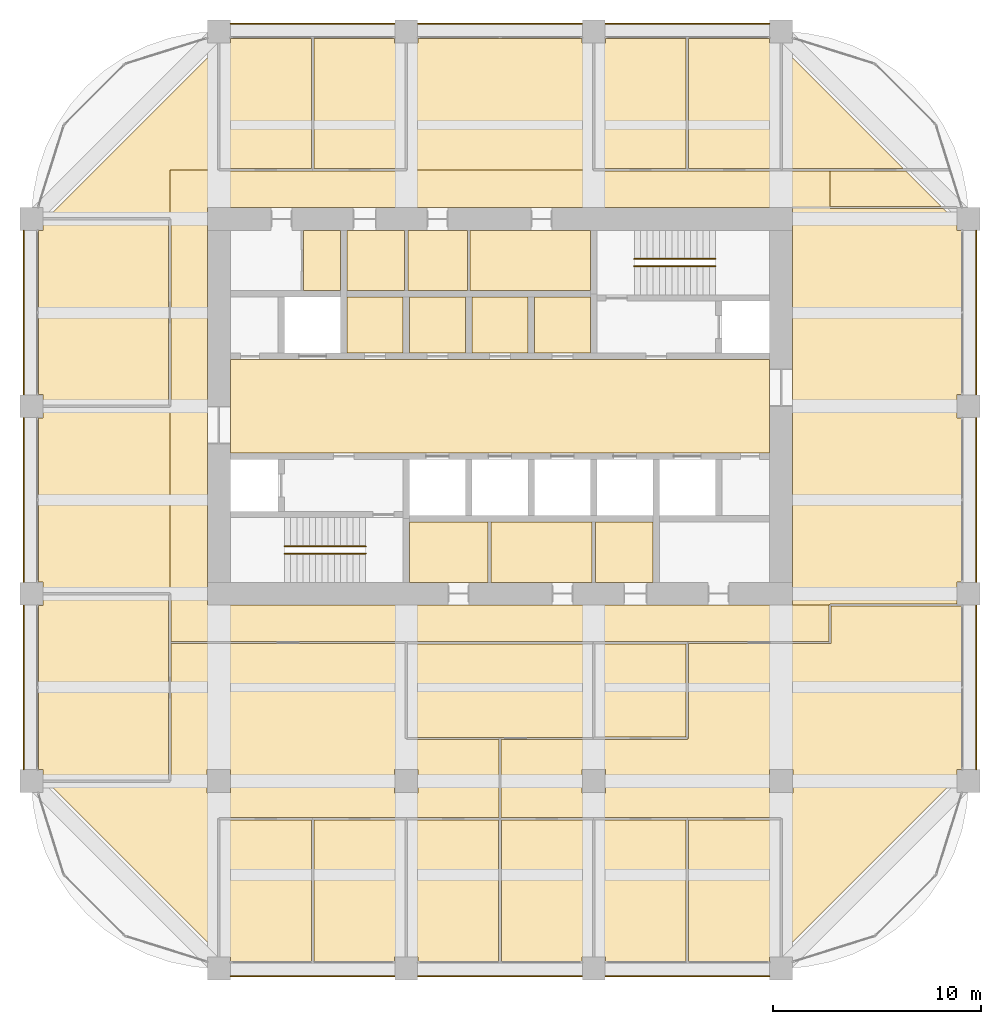
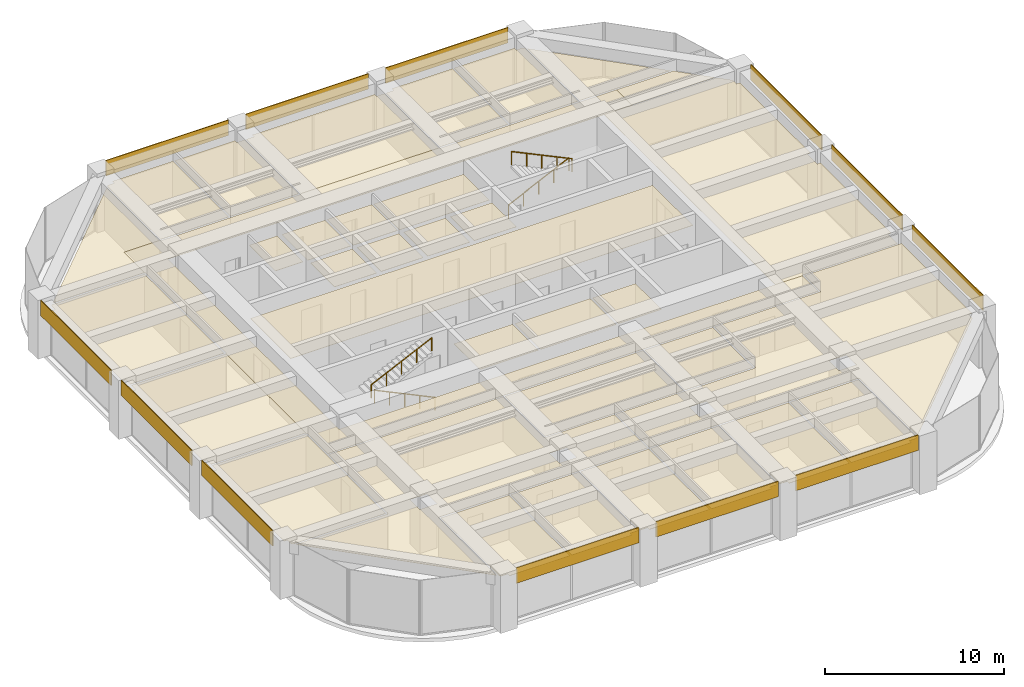
# One storey, part 44 of 44: 47 coverings, 4 railings.
"""IFC4 building model written with IfcOpenShell, lengths in metres."""

from ifc_helpers import new_model, si_unit, direction, frame, frame_2d, origin, origin_2d, place, context, subcontext, project, spatial, polyline, rectangle, circle, outline, extrude, material, layer, layer_set, type_object, element, save


model = new_model("IFC4")

# Units and contexts
model_context = context("Model", 3, precision=1e-05, world=origin(), true_north=direction((0.0, 1.0)))
body_context = subcontext(model_context, "Body", "Model", "MODEL_VIEW")
ifc_project = project(units=[si_unit("LENGTHUNIT", "METRE"), si_unit("AREAUNIT", "SQUARE_METRE"), si_unit("VOLUMEUNIT", "CUBIC_METRE"), si_unit("PLANEANGLEUNIT", "RADIAN"), si_unit("MASSUNIT", "GRAM", prefix="KILO")], contexts=[model_context])

# Site, building, storey
site_placement = place(None, origin())
site = spatial("IfcSite", under=ifc_project, at=site_placement, CompositionType="ELEMENT")
building_placement = place(site_placement, origin())
building = spatial("IfcBuilding", under=site, at=building_placement, Name="Zorevar Civic Tower", CompositionType="ELEMENT")
storey_placement = place(building_placement, frame((0.0, 0.0, 283.39990234375)))
storey = spatial("IfcBuildingStorey", under=building, at=storey_placement, Name="L69", CompositionType="ELEMENT", Elevation=283.39990234375)

# Railings
ifc_material_1 = material(Name="Black steel handrail", Category="steel")
railing_type = type_object("IfcRailingType", Name="Handrail HR1 900", PredefinedType="HANDRAIL", material=ifc_material_1)
railing_1_placement = place(storey_placement, frame((25.050048828125, 19.925048828125, 0.14306640625)))
element("IfcRailing", 1, at=railing_1_placement, inside=storey, type_object=railing_type, Name="Handrail HR1 ST1 L69", PredefinedType="HANDRAIL", context=body_context, shape_type="SweptSolid", body=[
    extrude(circle(Radius=0.02392578125, at=origin_2d()), frame((0.0, 0.0, 0.8759765625), z_axis=(-0.902885590262, 0.0, 0.429880926418), x_axis=(0.0, -1.0, 0.0)), (0.0, 0.0, 1.0), 4.319580078125),
    extrude(circle(Radius=0.02099609375, at=origin_2d()), origin(), (0.0, 0.0, 1.0), 0.851806640625),
    extrude(circle(Radius=0.02099609375, at=origin_2d()), frame((-0.97509765625, 0.0, 0.46435546875)), (0.0, 0.0, 1.0), 0.851806640625),
    extrude(circle(Radius=0.02099609375, at=origin_2d()), frame((-1.9501953125, 0.0, 0.928466796875)), (0.0, 0.0, 1.0), 0.851806640625),
    extrude(circle(Radius=0.02099609375, at=origin_2d()), frame((-2.925048828125, 0.0, 1.392578125)), (0.0, 0.0, 1.0), 0.851806640625),
    extrude(circle(Radius=0.02099609375, at=origin_2d()), frame((-3.900146484375, 0.0, 1.85693359375)), (0.0, 0.0, 1.0), 0.851806640625),
])
for number, where, name in (
    (2, (21.14990234375, 20.27490234375, 2.14306640625), "Handrail HR1 ST1 L69"),
    (3, (37.949951171875, 34.074951171875, 0.14306640625), "Handrail HR1 ST2 L69"),
):
    element("IfcRailing", number, at=place(storey_placement, frame(where)), inside=storey, type_object=railing_type, Name=name, PredefinedType="HANDRAIL", context=body_context, shape_type="SweptSolid", body=[
        extrude(circle(Radius=0.02392578125, at=origin_2d()), frame((0.0, 0.0, 0.8759765625), z_axis=(0.902885590262, 0.0, 0.429880926418), x_axis=(0.0, 1.0, 0.0)), (0.0, 0.0, 1.0), 4.319580078125),
        extrude(circle(Radius=0.02099609375, at=origin_2d()), origin(), (0.0, 0.0, 1.0), 0.851806640625),
        extrude(circle(Radius=0.02099609375, at=origin_2d()), frame((0.97509765625, 0.0, 0.46435546875)), (0.0, 0.0, 1.0), 0.851806640625),
        extrude(circle(Radius=0.02099609375, at=origin_2d()), frame((1.9501953125, 0.0, 0.928466796875)), (0.0, 0.0, 1.0), 0.851806640625),
        extrude(circle(Radius=0.02099609375, at=origin_2d()), frame((2.925048828125, 0.0, 1.392578125)), (0.0, 0.0, 1.0), 0.851806640625),
        extrude(circle(Radius=0.02099609375, at=origin_2d()), frame((3.900146484375, 0.0, 1.85693359375)), (0.0, 0.0, 1.0), 0.851806640625),
    ])
railing_2_placement = place(storey_placement, frame((41.85009765625, 33.72509765625, 2.14306640625)))
element("IfcRailing", 4, at=railing_2_placement, inside=storey, type_object=railing_type, Name="Handrail HR1 ST2 L69", PredefinedType="HANDRAIL", context=body_context, shape_type="SweptSolid", body=[
    extrude(circle(Radius=0.02392578125, at=origin_2d()), frame((0.0, 0.0, 0.8759765625), z_axis=(-0.902885590262, 0.0, 0.429880926418), x_axis=(0.0, -1.0, 0.0)), (0.0, 0.0, 1.0), 4.319580078125),
    extrude(circle(Radius=0.02099609375, at=origin_2d()), origin(), (0.0, 0.0, 1.0), 0.851806640625),
    extrude(circle(Radius=0.02099609375, at=origin_2d()), frame((-0.97509765625, 0.0, 0.46435546875)), (0.0, 0.0, 1.0), 0.851806640625),
    extrude(circle(Radius=0.02099609375, at=origin_2d()), frame((-1.9501953125, 0.0, 0.928466796875)), (0.0, 0.0, 1.0), 0.851806640625),
    extrude(circle(Radius=0.02099609375, at=origin_2d()), frame((-2.925048828125, 0.0, 1.392578125)), (0.0, 0.0, 1.0), 0.851806640625),
    extrude(circle(Radius=0.02099609375, at=origin_2d()), frame((-3.900146484375, 0.0, 1.85693359375)), (0.0, 0.0, 1.0), 0.851806640625),
])

# Coverings
ifc_material_2 = material(Name="Moisture-resistant gypsum board")
ifc_layer_1 = layer(ifc_material_2, 0.012451171875)
ifc_layer_set_1 = layer_set([ifc_layer_1], Name="Moisture-resistant ceiling SC3")
covering_type_1 = type_object("IfcCoveringType", Name="Moisture-resistant ceiling SC3", PredefinedType="CEILING", material=ifc_layer_set_1)
covering_1_placement = place(storey_placement, frame((0.0, 0.0, 3.0)))
element("IfcCovering", 5, at=covering_1_placement, inside=storey, type_object=covering_type_1, Name="Ceiling L69-05", PredefinedType="CEILING", context=body_context, shape_type="SweptSolid", body=[
    extrude(outline(polyline([(30.925048828125, 18.550048828125), (30.925048828125, 21.449951171875), (27.14990234375, 21.449951171875), (27.14990234375, 18.550048828125), (30.925048828125, 18.550048828125)])), origin(), (0.0, 0.0, 1.0), 0.0126953125),
])
covering_2_placement = place(storey_placement, frame((0.0, 0.0, 3.0)))
element("IfcCovering", 6, at=covering_2_placement, inside=storey, type_object=covering_type_1, Name="Ceiling L69-06", PredefinedType="CEILING", context=body_context, shape_type="SweptSolid", body=[
    extrude(outline(polyline([(35.925048828125, 18.550048828125), (35.925048828125, 21.449951171875), (31.074951171875, 21.449951171875), (31.074951171875, 18.550048828125), (35.925048828125, 18.550048828125)])), origin(), (0.0, 0.0, 1.0), 0.0126953125),
])
covering_3_placement = place(storey_placement, frame((0.0, 0.0, 3.0)))
element("IfcCovering", 7, at=covering_3_placement, inside=storey, type_object=covering_type_1, Name="Ceiling L69-07", PredefinedType="CEILING", context=body_context, shape_type="SweptSolid", body=[
    extrude(outline(polyline([(38.85009765625, 18.550048828125), (38.85009765625, 21.449951171875), (36.074951171875, 21.449951171875), (36.074951171875, 18.550048828125), (38.85009765625, 18.550048828125)])), origin(), (0.0, 0.0, 1.0), 0.0126953125),
])
covering_4_placement = place(storey_placement, frame((0.0, 0.0, 3.0)))
element("IfcCovering", 8, at=covering_4_placement, inside=storey, type_object=covering_type_1, Name="Ceiling L69-10", PredefinedType="CEILING", context=body_context, shape_type="SweptSolid", body=[
    extrude(outline(polyline([(26.925048828125, 32.550048828125), (26.925048828125, 35.449951171875), (24.14990234375, 35.449951171875), (24.14990234375, 32.550048828125), (26.925048828125, 32.550048828125)])), origin(), (0.0, 0.0, 1.0), 0.0126953125),
])
ifc_material_3 = material(Name="Black anodised aluminium spandrel panel", Category="aluminium")
ifc_layer_2 = layer(ifc_material_3, 0.050048828125)
ifc_layer_set_2 = layer_set([ifc_layer_2], Name="Spandrel cladding SP1")
covering_type_2 = type_object("IfcCoveringType", Name="Spandrel cladding SP1", PredefinedType="CLADDING", material=ifc_layer_set_2)
for number, where, z_axis, x_axis, name in (
    (9, (18.550048828125, -0.375, 2.9501953125), (0.0, 0.0, 1.0), (1.0, 0.0, 0.0), "Spandrel cladding L70"),
    (10, (27.550048828125, -0.375, 2.9501953125), (0.0, 0.0, 1.0), (1.0, 0.0, 0.0), "Spandrel cladding L70"),
    (11, (36.550048828125, -0.375, 2.9501953125), (0.0, 0.0, 1.0), (1.0, 0.0, 0.0), "Spandrel cladding L70"),
    (12, (18.550048828125, 45.375, 2.9501953125), (0.0, 0.0, 1.0), (1.0, 0.0, 0.0), "Spandrel cladding L70"),
    (13, (27.550048828125, 45.375, 2.9501953125), (0.0, 0.0, 1.0), (1.0, 0.0, 0.0), "Spandrel cladding L70"),
    (14, (36.550048828125, 45.375, 2.9501953125), (0.0, 0.0, 1.0), (1.0, 0.0, 0.0), "Spandrel cladding L70"),
    (15, (8.625, 9.550048828125, 2.9501953125), (0.0, 0.0, 1.0), (0.0, 1.0, 0.0), "Spandrel cladding L70"),
    (16, (8.625, 18.550048828125, 2.9501953125), (0.0, 0.0, 1.0), (0.0, 1.0, 0.0), "Spandrel cladding L70"),
    (17, (8.625, 27.550048828125, 2.9501953125), (0.0, 0.0, 1.0), (0.0, 1.0, 0.0), "Spandrel cladding L70"),
    (18, (54.375, 9.550048828125, 2.9501953125), (0.0, 0.0, 1.0), (0.0, 1.0, 0.0), "Spandrel cladding L70"),
    (19, (54.375, 18.550048828125, 2.9501953125), (0.0, 0.0, 1.0), (0.0, 1.0, 0.0), "Spandrel cladding L70"),
    (20, (54.375, 27.550048828125, 2.9501953125), (0.0, 0.0, 1.0), (0.0, 1.0, 0.0), "Spandrel cladding L70"),
):
    element("IfcCovering", number, at=place(storey_placement, frame(where, z_axis=z_axis, x_axis=x_axis)), inside=storey, type_object=covering_type_2, Name=name, PredefinedType="CLADDING", context=body_context, shape_type="SweptSolid", body=[
        extrude(rectangle(XDim=7.89990234375, YDim=0.050048828125, at=frame_2d((3.949951171875, 0.0))), origin(), (0.0, 0.0, 1.0), 1.0498046875),
    ])
ifc_material_4 = material(Name="Mineral fibre tiles on a concealed grid")
ifc_layer_3 = layer(ifc_material_4, 0.02001953125)
ifc_layer_set_3 = layer_set([ifc_layer_3], Name="Suspended ceiling SC1")
covering_type_3 = type_object("IfcCoveringType", Name="Suspended ceiling SC1", PredefinedType="CEILING", material=ifc_layer_set_3)
covering_5_placement = place(storey_placement, frame((0.0, 0.0, 3.0)))
element("IfcCovering", 21, at=covering_5_placement, inside=storey, type_object=covering_type_3, Name="Ceiling L69-08", PredefinedType="CEILING", context=body_context, shape_type="SweptSolid", body=[
    extrude(outline(polyline([(35.85009765625, 32.550048828125), (35.85009765625, 35.449951171875), (30.06005859375, 35.449951171875), (30.06005859375, 32.550048828125), (35.85009765625, 32.550048828125)])), origin(), (0.0, 0.0, 1.0), 0.02001953125),
])
covering_6_placement = place(storey_placement, frame((0.0, 0.0, 3.0)))
element("IfcCovering", 22, at=covering_6_placement, inside=storey, type_object=covering_type_3, Name="Ceiling L69-09", PredefinedType="CEILING", context=body_context, shape_type="SweptSolid", body=[
    extrude(outline(polyline([(29.93994140625, 32.550048828125), (29.93994140625, 35.449951171875), (27.074951171875, 35.449951171875), (27.074951171875, 32.550048828125), (29.93994140625, 32.550048828125)])), origin(), (0.0, 0.0, 1.0), 0.02001953125),
])
covering_7_placement = place(storey_placement, frame((0.0, 0.0, 3.0)))
element("IfcCovering", 23, at=covering_7_placement, inside=storey, type_object=covering_type_3, Name="Ceiling L69-12", PredefinedType="CEILING", context=body_context, shape_type="SweptSolid", body=[
    extrude(outline(polyline([(23.85009765625, 32.550048828125), (23.85009765625, 35.449951171875), (22.06005859375, 35.449951171875), (22.06005859375, 32.550048828125), (23.85009765625, 32.550048828125)])), origin(), (0.0, 0.0, 1.0), 0.02001953125),
])
covering_8_placement = place(storey_placement, frame((0.0, 0.0, 3.0)))
element("IfcCovering", 24, at=covering_8_placement, inside=storey, type_object=covering_type_3, Name="Ceiling L69-16", PredefinedType="CEILING", context=body_context, shape_type="SweptSolid", body=[
    extrude(outline(polyline([(44.449951171875, 24.75), (44.449951171875, 29.25), (18.550048828125, 29.25), (18.550048828125, 24.75), (44.449951171875, 24.75)])), origin(), (0.0, 0.0, 1.0), 0.02001953125),
])
covering_9_placement = place(storey_placement, frame((0.0, 0.0, 3.0)))
element("IfcCovering", 25, at=covering_9_placement, inside=storey, type_object=covering_type_3, Name="Ceiling L69-17", PredefinedType="CEILING", context=body_context, shape_type="SweptSolid", body=[
    extrude(outline(polyline([(35.85009765625, 29.550048828125), (35.85009765625, 32.25), (33.14990234375, 32.25), (33.14990234375, 29.550048828125), (35.85009765625, 29.550048828125)])), origin(), (0.0, 0.0, 1.0), 0.02001953125),
])
covering_10_placement = place(storey_placement, frame((0.0, 0.0, 3.0)))
element("IfcCovering", 26, at=covering_10_placement, inside=storey, type_object=covering_type_3, Name="Ceiling L69-18", PredefinedType="CEILING", context=body_context, shape_type="SweptSolid", body=[
    extrude(outline(polyline([(32.85009765625, 29.550048828125), (32.85009765625, 32.25), (30.14990234375, 32.25), (30.14990234375, 29.550048828125), (32.85009765625, 29.550048828125)])), origin(), (0.0, 0.0, 1.0), 0.02001953125),
])
covering_11_placement = place(storey_placement, frame((0.0, 0.0, 3.0)))
element("IfcCovering", 27, at=covering_11_placement, inside=storey, type_object=covering_type_3, Name="Ceiling L69-19", PredefinedType="CEILING", context=body_context, shape_type="SweptSolid", body=[
    extrude(outline(polyline([(29.85009765625, 29.550048828125), (29.85009765625, 32.25), (27.14990234375, 32.25), (27.14990234375, 29.550048828125), (29.85009765625, 29.550048828125)])), origin(), (0.0, 0.0, 1.0), 0.02001953125),
])
covering_12_placement = place(storey_placement, frame((0.0, 0.0, 3.0)))
element("IfcCovering", 28, at=covering_12_placement, inside=storey, type_object=covering_type_3, Name="Ceiling L69-20", PredefinedType="CEILING", context=body_context, shape_type="SweptSolid", body=[
    extrude(outline(polyline([(26.85009765625, 29.550048828125), (26.85009765625, 32.25), (24.14990234375, 32.25), (24.14990234375, 29.550048828125), (26.85009765625, 29.550048828125)])), origin(), (0.0, 0.0, 1.0), 0.02001953125),
])
covering_13_placement = place(storey_placement, frame((0.0, 0.0, 3.0)))
element("IfcCovering", 29, at=covering_13_placement, inside=storey, type_object=covering_type_3, Name="Ceiling L69-21", PredefinedType="CEILING", context=body_context, shape_type="SweptSolid", body=[
    extrude(outline(polyline([(22.43994140625, 0.35009765625), (18.56005859375, 0.35009765625), (18.56005859375, 0.56005859375), (18.147216796875, 0.56005859375), (18.06005859375, 0.647216796875), (18.06005859375, 7.139892578125), (22.43994140625, 7.139892578125), (22.43994140625, 0.35009765625)])), origin(), (0.0, 0.0, 1.0), 0.02001953125),
])
covering_14_placement = place(storey_placement, frame((0.0, 0.0, 3.0)))
element("IfcCovering", 30, at=covering_14_placement, inside=storey, type_object=covering_type_3, Name="Ceiling L69-22", PredefinedType="CEILING", context=body_context, shape_type="SweptSolid", body=[
    extrude(outline(polyline([(26.93994140625, 7.139892578125), (26.93994140625, 0.56005859375), (26.43994140625, 0.56005859375), (26.43994140625, 0.35009765625), (22.56005859375, 0.35009765625), (22.56005859375, 7.139892578125), (26.93994140625, 7.139892578125)])), origin(), (0.0, 0.0, 1.0), 0.02001953125),
])
covering_15_placement = place(storey_placement, frame((0.0, 0.0, 3.0)))
element("IfcCovering", 31, at=covering_15_placement, inside=storey, type_object=covering_type_3, Name="Ceiling L69-23", PredefinedType="CEILING", context=body_context, shape_type="SweptSolid", body=[
    extrude(outline(polyline([(31.43994140625, 7.139892578125), (31.43994140625, 0.35009765625), (27.56005859375, 0.35009765625), (27.56005859375, 0.56005859375), (27.06005859375, 0.56005859375), (27.06005859375, 7.139892578125), (31.43994140625, 7.139892578125)])), origin(), (0.0, 0.0, 1.0), 0.02001953125),
])
covering_16_placement = place(storey_placement, frame((0.0, 0.0, 3.0)))
element("IfcCovering", 32, at=covering_16_placement, inside=storey, type_object=covering_type_3, Name="Ceiling L69-24", PredefinedType="CEILING", context=body_context, shape_type="SweptSolid", body=[
    extrude(outline(polyline([(35.93994140625, 7.139892578125), (35.93994140625, 0.56005859375), (35.43994140625, 0.56005859375), (35.43994140625, 0.35009765625), (31.56005859375, 0.35009765625), (31.56005859375, 7.139892578125), (35.93994140625, 7.139892578125)])), origin(), (0.0, 0.0, 1.0), 0.02001953125),
])
covering_17_placement = place(storey_placement, frame((0.0, 0.0, 3.0)))
element("IfcCovering", 33, at=covering_17_placement, inside=storey, type_object=covering_type_3, Name="Ceiling L69-25", PredefinedType="CEILING", context=body_context, shape_type="SweptSolid", body=[
    extrude(outline(polyline([(40.43994140625, 7.139892578125), (40.43994140625, 0.35009765625), (36.56005859375, 0.35009765625), (36.56005859375, 0.56005859375), (36.06005859375, 0.56005859375), (36.06005859375, 7.139892578125), (40.43994140625, 7.139892578125)])), origin(), (0.0, 0.0, 1.0), 0.02001953125),
])
covering_18_placement = place(storey_placement, frame((0.0, 0.0, 3.0)))
element("IfcCovering", 34, at=covering_18_placement, inside=storey, type_object=covering_type_3, Name="Ceiling L69-26", PredefinedType="CEILING", context=body_context, shape_type="SweptSolid", body=[
    extrude(outline(polyline([(44.93994140625, 0.647216796875), (44.852783203125, 0.56005859375), (44.43994140625, 0.56005859375), (44.43994140625, 0.35009765625), (40.56005859375, 0.35009765625), (40.56005859375, 7.139892578125), (44.93994140625, 7.139892578125), (44.93994140625, 0.647216796875)])), origin(), (0.0, 0.0, 1.0), 0.02001953125),
])
covering_19_placement = place(storey_placement, frame((0.0, 0.0, 3.0)))
element("IfcCovering", 35, at=covering_19_placement, inside=storey, type_object=covering_type_3, Name="Ceiling L69-27", PredefinedType="CEILING", context=body_context, shape_type="SweptSolid", body=[
    extrude(outline(polyline([(18.06005859375, 44.352783203125), (18.147216796875, 44.43994140625), (18.56005859375, 44.43994140625), (18.56005859375, 44.64990234375), (22.43994140625, 44.64990234375), (22.43994140625, 38.409912109375), (18.06005859375, 38.409912109375), (18.06005859375, 44.352783203125)])), origin(), (0.0, 0.0, 1.0), 0.02001953125),
])
covering_20_placement = place(storey_placement, frame((0.0, 0.0, 3.0)))
element("IfcCovering", 36, at=covering_20_placement, inside=storey, type_object=covering_type_3, Name="Ceiling L69-28", PredefinedType="CEILING", context=body_context, shape_type="SweptSolid", body=[
    extrude(outline(polyline([(22.56005859375, 38.409912109375), (22.56005859375, 44.64990234375), (26.43994140625, 44.64990234375), (26.43994140625, 44.43994140625), (26.93994140625, 44.43994140625), (26.93994140625, 38.409912109375), (22.56005859375, 38.409912109375)])), origin(), (0.0, 0.0, 1.0), 0.02001953125),
])
covering_21_placement = place(storey_placement, frame((0.0, 0.0, 3.0)))
element("IfcCovering", 37, at=covering_21_placement, inside=storey, type_object=covering_type_3, Name="Ceiling L69-29", PredefinedType="CEILING", context=body_context, shape_type="SweptSolid", body=[
    extrude(outline(polyline([(36.06005859375, 38.409912109375), (36.06005859375, 44.43994140625), (36.56005859375, 44.43994140625), (36.56005859375, 44.64990234375), (40.43994140625, 44.64990234375), (40.43994140625, 38.409912109375), (36.06005859375, 38.409912109375)])), origin(), (0.0, 0.0, 1.0), 0.02001953125),
])
covering_22_placement = place(storey_placement, frame((0.0, 0.0, 3.0)))
element("IfcCovering", 38, at=covering_22_placement, inside=storey, type_object=covering_type_3, Name="Ceiling L69-30", PredefinedType="CEILING", context=body_context, shape_type="SweptSolid", body=[
    extrude(outline(polyline([(40.56005859375, 44.64990234375), (44.43994140625, 44.64990234375), (44.43994140625, 44.43994140625), (44.852783203125, 44.43994140625), (44.93994140625, 44.352783203125), (44.93994140625, 38.409912109375), (40.56005859375, 38.409912109375), (40.56005859375, 44.64990234375)])), origin(), (0.0, 0.0, 1.0), 0.02001953125),
])
covering_23_placement = place(storey_placement, frame((0.0, 0.0, 3.0)))
element("IfcCovering", 39, at=covering_23_placement, inside=storey, type_object=covering_type_3, Name="Ceiling L69-31", PredefinedType="CEILING", context=body_context, shape_type="SweptSolid", body=[
    extrude(outline(polyline([(9.35009765625, 9.56005859375), (9.35009765625, 17.43994140625), (9.56005859375, 17.43994140625), (9.56005859375, 17.93994140625), (15.590087890625, 17.93994140625), (15.590087890625, 9.06005859375), (9.647216796875, 9.06005859375), (9.56005859375, 9.147216796875), (9.56005859375, 9.56005859375), (9.35009765625, 9.56005859375)])), origin(), (0.0, 0.0, 1.0), 0.02001953125),
])
covering_24_placement = place(storey_placement, frame((0.0, 0.0, 3.0)))
element("IfcCovering", 40, at=covering_24_placement, inside=storey, type_object=covering_type_3, Name="Ceiling L69-32", PredefinedType="CEILING", context=body_context, shape_type="SweptSolid", body=[
    extrude(outline(polyline([(9.35009765625, 27.56005859375), (9.35009765625, 35.43994140625), (9.56005859375, 35.43994140625), (9.56005859375, 35.852783203125), (9.647216796875, 35.93994140625), (15.590087890625, 35.93994140625), (15.590087890625, 27.06005859375), (9.56005859375, 27.06005859375), (9.56005859375, 27.56005859375), (9.35009765625, 27.56005859375)])), origin(), (0.0, 0.0, 1.0), 0.02001953125),
])
covering_25_placement = place(storey_placement, frame((0.0, 0.0, 3.0)))
element("IfcCovering", 41, at=covering_25_placement, inside=storey, type_object=covering_type_3, Name="Ceiling L69-33", PredefinedType="CEILING", context=body_context, shape_type="SweptSolid", body=[
    extrude(outline(polyline([(27.06005859375, 15.590087890625), (35.93994140625, 15.590087890625), (35.93994140625, 11.10009765625), (27.06005859375, 11.10009765625), (27.06005859375, 15.590087890625)])), origin(), (0.0, 0.0, 1.0), 0.02001953125),
])
covering_26_placement = place(storey_placement, frame((0.0, 0.0, 3.0)))
element("IfcCovering", 42, at=covering_26_placement, inside=storey, type_object=covering_type_3, Name="Ceiling L69-34", PredefinedType="CEILING", context=body_context, shape_type="SweptSolid", body=[
    extrude(outline(polyline([(36.06005859375, 11.110107421875), (36.06005859375, 15.590087890625), (40.43994140625, 15.590087890625), (40.43994140625, 11.110107421875), (36.06005859375, 11.110107421875)])), origin(), (0.0, 0.0, 1.0), 0.02001953125),
])
covering_27_placement = place(storey_placement, frame((0.0, 0.0, 3.0)))
element("IfcCovering", 43, at=covering_27_placement, inside=storey, type_object=covering_type_3, Name="Ceiling L69-35", PredefinedType="CEILING", context=body_context, shape_type="SweptSolid", body=[
    extrude(outline(polyline([(45.06005859375, 38.409912109375), (45.06005859375, 44.23291015625), (50.8828125, 38.409912109375), (45.06005859375, 38.409912109375)])), origin(), (0.0, 0.0, 1.0), 0.02001953125),
])
covering_28_placement = place(storey_placement, frame((0.0, 0.0, 3.0)))
element("IfcCovering", 44, at=covering_28_placement, inside=storey, type_object=covering_type_3, Name="Ceiling L69-36", PredefinedType="CEILING", context=body_context, shape_type="SweptSolid", body=[
    extrude(outline(polyline([(15.64990234375, 18.0), (15.64990234375, 27.0), (15.7099609375, 27.0), (15.7099609375, 36.0), (15.64990234375, 36.0), (15.64990234375, 38.35009765625), (18.0, 38.35009765625), (18.0, 38.2900390625), (27.0, 38.2900390625), (27.0, 38.35009765625), (36.0, 38.35009765625), (36.0, 38.2900390625), (47.35009765625, 38.2900390625), (47.35009765625, 36.550048828125), (17.449951171875, 36.550048828125), (17.449951171875, 17.449951171875), (47.300048828125, 17.449951171875), (47.300048828125, 15.699951171875), (40.510009765625, 15.699951171875), (40.510009765625, 15.64990234375), (40.5, 15.64990234375), (40.5, 15.7099609375), (27.0, 15.7099609375), (27.0, 15.64990234375), (26.989990234375, 15.64990234375), (26.989990234375, 15.699951171875), (15.7099609375, 15.699951171875), (15.7099609375, 18.0), (15.64990234375, 18.0)])), origin(), (0.0, 0.0, 1.0), 0.02001953125),
])
covering_29_placement = place(storey_placement, frame((0.0, 0.0, 3.0)))
element("IfcCovering", 45, at=covering_29_placement, inside=storey, type_object=covering_type_3, Name="Ceiling L69-37", PredefinedType="CEILING", context=body_context, shape_type="SweptSolid", body=[
    extrude(outline(polyline([(53.43994140625, 17.5), (47.35009765625, 17.5), (47.35009765625, 17.449951171875), (45.550048828125, 17.449951171875), (45.550048828125, 36.550048828125), (47.35009765625, 36.550048828125), (47.35009765625, 36.5), (52.79296875, 36.5), (53.43994140625, 35.852783203125), (53.43994140625, 35.43994140625), (53.64990234375, 35.43994140625), (53.64990234375, 27.56005859375), (53.43994140625, 27.56005859375), (53.43994140625, 26.43994140625), (53.64990234375, 26.43994140625), (53.64990234375, 18.56005859375), (53.43994140625, 18.56005859375), (53.43994140625, 17.5)])), origin(), (0.0, 0.0, 1.0), 0.02001953125),
])
covering_30_placement = place(storey_placement, frame((0.0, 0.0, 3.0)))
element("IfcCovering", 46, at=covering_30_placement, inside=storey, type_object=covering_type_3, Name="Ceiling L69-38", PredefinedType="CEILING", context=body_context, shape_type="SweptSolid", body=[
    extrude(outline(polyline([(35.93994140625, 38.35009765625), (27.06005859375, 38.35009765625), (27.06005859375, 44.43994140625), (27.56005859375, 44.43994140625), (27.56005859375, 44.64990234375), (35.43994140625, 44.64990234375), (35.43994140625, 44.43994140625), (35.93994140625, 44.43994140625), (35.93994140625, 38.35009765625)])), origin(), (0.0, 0.0, 1.0), 0.02001953125),
])
covering_31_placement = place(storey_placement, frame((0.0, 0.0, 3.0)))
element("IfcCovering", 47, at=covering_31_placement, inside=storey, type_object=covering_type_3, Name="Ceiling L69-39", PredefinedType="CEILING", context=body_context, shape_type="SweptSolid", body=[
    extrude(outline(polyline([(17.93896484375, 38.35107421875), (15.6494140625, 38.3505859375), (15.64990234375, 36.06005859375), (9.76708984375, 36.06005859375), (17.93896484375, 44.23193359375), (17.93896484375, 38.35107421875)])), origin(), (0.0, 0.0, 1.0), 0.02001953125),
])
covering_32_placement = place(storey_placement, frame((0.0, 0.0, 3.0)))
element("IfcCovering", 48, at=covering_32_placement, inside=storey, type_object=covering_type_3, Name="Ceiling L69-40", PredefinedType="CEILING", context=body_context, shape_type="SweptSolid", body=[
    extrude(outline(polyline([(47.35009765625, 36.60009765625), (47.35009765625, 38.2900390625), (51.0029296875, 38.2900390625), (52.69287109375, 36.60009765625), (47.35009765625, 36.60009765625)])), origin(), (0.0, 0.0, 1.0), 0.02001953125),
])
covering_33_placement = place(storey_placement, frame((0.0, 0.0, 3.0)))
element("IfcCovering", 49, at=covering_33_placement, inside=storey, type_object=covering_type_3, Name="Ceiling L69-41", PredefinedType="CEILING", context=body_context, shape_type="SweptSolid", body=[
    extrude(outline(polyline([(15.64990234375, 8.93994140625), (15.64990234375, 9.0), (15.7099609375, 9.0), (15.7099609375, 15.60009765625), (26.93994140625, 15.60009765625), (26.93994140625, 11.050048828125), (27.0, 11.050048828125), (27.0, 11.0), (31.449951171875, 11.0), (31.449951171875, 7.260009765625), (18.0, 7.260009765625), (18.0, 7.199951171875), (17.93994140625, 7.199951171875), (17.93994140625, 0.76708984375), (9.76708984375, 8.93994140625), (15.64990234375, 8.93994140625)]), holes=[polyline([(17.43994140625, 8.43994140625), (18.56005859375, 8.43994140625), (18.56005859375, 9.56005859375), (17.43994140625, 9.56005859375), (17.43994140625, 8.43994140625)]), polyline([(26.43994140625, 9.56005859375), (26.43994140625, 8.43994140625), (27.56005859375, 8.43994140625), (27.56005859375, 9.56005859375), (26.43994140625, 9.56005859375)])]), origin(), (0.0, 0.0, 1.0), 0.02001953125),
])
covering_34_placement = place(storey_placement, frame((0.0, 0.0, 3.0)))
element("IfcCovering", 50, at=covering_34_placement, inside=storey, type_object=covering_type_3, Name="Ceiling L69-42", PredefinedType="CEILING", context=body_context, shape_type="SweptSolid", body=[
    extrude(outline(polyline([(45.06005859375, 7.199951171875), (45.0, 7.199951171875), (45.0, 7.260009765625), (31.550048828125, 7.260009765625), (31.550048828125, 11.0), (36.0, 11.0), (36.0, 10.989990234375), (40.5, 10.989990234375), (40.5, 11.050048828125), (40.56005859375, 11.050048828125), (40.56005859375, 15.60009765625), (47.39990234375, 15.60009765625), (47.39990234375, 17.39990234375), (53.64990234375, 17.39990234375), (53.64990234375, 9.56005859375), (53.43994140625, 9.56005859375), (53.43994140625, 9.147216796875), (45.06005859375, 0.76708984375), (45.06005859375, 7.199951171875)]), holes=[polyline([(36.56005859375, 9.56005859375), (35.43994140625, 9.56005859375), (35.43994140625, 8.43994140625), (36.56005859375, 8.43994140625), (36.56005859375, 9.56005859375)]), polyline([(44.43994140625, 8.43994140625), (45.56005859375, 8.43994140625), (45.56005859375, 9.56005859375), (44.43994140625, 9.56005859375), (44.43994140625, 8.43994140625)])]), origin(), (0.0, 0.0, 1.0), 0.02001953125),
])
covering_35_placement = place(storey_placement, frame((0.0, 0.0, 3.0)))
element("IfcCovering", 51, at=covering_35_placement, inside=storey, type_object=covering_type_3, Name="Ceiling L69-43", PredefinedType="CEILING", context=body_context, shape_type="SweptSolid", body=[
    extrude(outline(polyline([(15.64990234375, 26.93994140625), (15.64990234375, 18.06005859375), (9.56005859375, 18.06005859375), (9.56005859375, 18.56005859375), (9.35009765625, 18.56005859375), (9.35009765625, 26.43994140625), (9.56005859375, 26.43994140625), (9.56005859375, 26.93994140625), (15.64990234375, 26.93994140625)])), origin(), (0.0, 0.0, 1.0), 0.02001953125),
])

save(model, "model.ifc")
